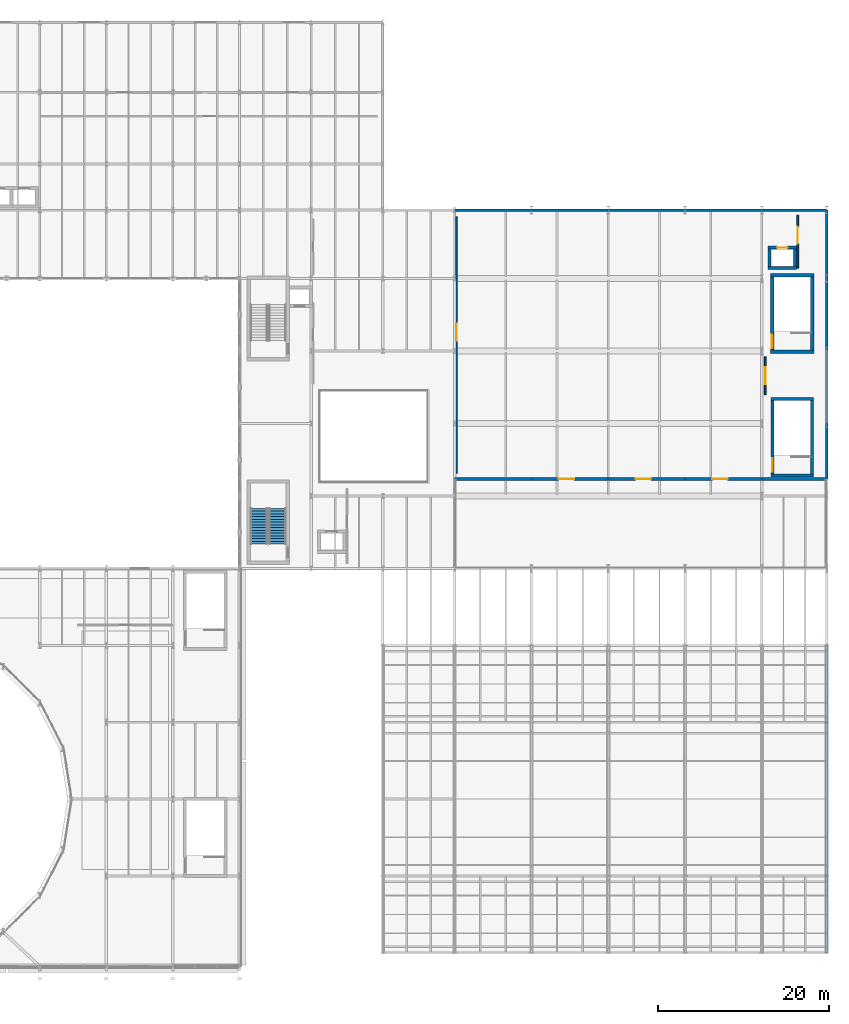
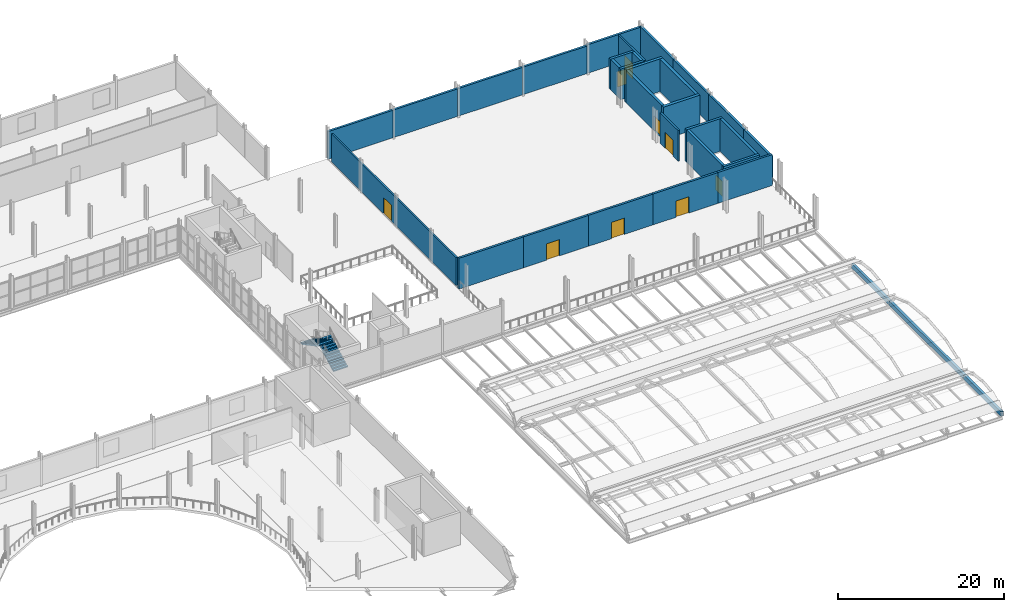
# One storey, part 54 of 63: 32 walls, 9 doors, 2 stair flights, 9 openings, 1 element without a shape of its own.
"""IFC4 building model written with IfcOpenShell, lengths in metres."""

from ifc_helpers import new_model, si_unit, direction, frame, frame_2d, origin, place, context, subcontext, project, spatial, polyline, rectangle, outline, extrude, material, layer, layer_set, type_object, element, fill, aggregate, save


model = new_model("IFC4")

# Units and contexts
model_context = context("Model", 3, precision=1e-05, world=origin(), true_north=direction((0.0, 1.0)))
body_context = subcontext(model_context, "Body", "Model", "MODEL_VIEW")
ifc_project = project(units=[si_unit("LENGTHUNIT", "METRE"), si_unit("AREAUNIT", "SQUARE_METRE"), si_unit("VOLUMEUNIT", "CUBIC_METRE"), si_unit("PLANEANGLEUNIT", "RADIAN"), si_unit("MASSUNIT", "GRAM", prefix="KILO")], contexts=[model_context])

# Site, building, storey
site_placement = place(None, origin())
site = spatial("IfcSite", under=ifc_project, at=site_placement, CompositionType="ELEMENT")
building_placement = place(site_placement, origin())
building = spatial("IfcBuilding", under=site, at=building_placement, Name="Sefraquen Railside Congress Hotel", CompositionType="ELEMENT")
storey_placement = place(building_placement, frame((0.0, 0.0, 11.39990234375)))
storey = spatial("IfcBuildingStorey", under=building, at=storey_placement, Name="L02", CompositionType="ELEMENT", Elevation=11.39990234375)

# Wall, opening, door
ifc_material_1 = material(Name="Acoustic double stud and gypsum board", Category="gypsum")
ifc_layer_1 = layer(ifc_material_1, 0.219970703125)
ifc_layer_set_1 = layer_set([ifc_layer_1], Name="Acoustic double stud and gypsum board")
wall_type_1 = type_object("IfcWallType", Name="TW-AW-220", PredefinedType="PARTITIONING", material=ifc_layer_set_1)
wall_1_placement = place(storey_placement, frame((128.60009765625, 65.199951171875, 0.0), z_axis=(0.0, 0.0, 1.0), x_axis=(0.0, 1.0, 0.0)))
wall_1 = element("IfcWall", 1, at=wall_1_placement, inside=storey, type_object=wall_type_1, Name="Diplomatic Banquet Salon enclosure wall", PredefinedType="PARTITIONING", context=body_context, shape_type="SweptSolid", body=[
    extrude(rectangle(XDim=30.0, YDim=0.219970703125, at=frame_2d((15.0, 0.0))), origin(), (0.0, 0.0, 1.0), 4.110107421875),
])
opening_1_placement = place(wall_1_placement, frame((15.5, 0.0, 0.0)))
opening_1 = element("IfcOpeningElement", 2, at=opening_1_placement, cuts=wall_1, Name="Opening AD-02", PredefinedType="OPENING", context=body_context, shape_type="SweptSolid", body=[
    extrude(rectangle(XDim=2.0, YDim=2.35009765625, at=frame_2d((1.0, 1.175048828125))), frame((0.0, 0.119873046875, 0.0), z_axis=(0.0, -1.0, 0.0), x_axis=(1.0, 0.0, 0.0)), (0.0, 0.0, 1.0), 0.239990234375),
])
ifc_material_2 = material(Name="Acoustic Atlas cedar timber", Category="wood")
door_type_1 = type_object("IfcDoorType", Name="TD-AD-02", OperationType="NOTDEFINED", PredefinedType="DOOR", material=ifc_material_2)
door_1_placement = place(opening_1_placement, origin())
door_1 = element("IfcDoor", 3, at=door_1_placement, inside=storey, type_object=door_type_1, Name="Diplomatic Banquet Salon entrance door", OperationType="DOUBLE_SWING_LEFT", OverallHeight=2.35009765625, OverallWidth=2.0, PredefinedType="DOOR", context=body_context, shape_type="SweptSolid", body=[
    extrude(rectangle(XDim=2.0, YDim=2.35009765625, at=frame_2d((1.0, 1.175048828125))), frame((0.0, 0.02490234375, 0.0), z_axis=(0.0, -1.0, 0.0), x_axis=(1.0, 0.0, 0.0)), (0.0, 0.0, 1.0), 0.050048828125),
])
fill(opening_1, door_1)

wall_2_placement = place(storey_placement, frame((164.800048828125, 74.39990234375, 0.0), z_axis=(0.0, 0.0, 1.0), x_axis=(0.0, 1.0, 0.0)))
wall_2 = element("IfcWall", 4, at=wall_2_placement, inside=storey, type_object=wall_type_1, Name="Banquet Salon Service Pantry enclosure wall", PredefinedType="PARTITIONING", context=body_context, shape_type="SweptSolid", body=[
    extrude(rectangle(XDim=4.400146484375, YDim=0.219970703125, at=frame_2d((2.2001953125, 0.0))), origin(), (0.0, 0.0, 1.0), 4.52001953125),
])
opening_2_placement = place(wall_2_placement, frame((1.199951171875, 0.0, 0.0)))
opening_2 = element("IfcOpeningElement", 5, at=opening_2_placement, cuts=wall_2, Name="Opening AD-02", PredefinedType="OPENING", context=body_context, shape_type="SweptSolid", body=[
    extrude(rectangle(XDim=2.0, YDim=2.35009765625, at=frame_2d((1.0, 1.175048828125))), frame((0.0, 0.119873046875, 0.0), z_axis=(0.0, -1.0, 0.0), x_axis=(1.0, 0.0, 0.0)), (0.0, 0.0, 1.0), 0.239990234375),
])
door_2_placement = place(opening_2_placement, origin())
door_2 = element("IfcDoor", 6, at=door_2_placement, inside=storey, type_object=door_type_1, Name="Banquet Salon Service Pantry entrance door", OperationType="DOUBLE_SWING_LEFT", OverallHeight=2.35009765625, OverallWidth=2.0, PredefinedType="DOOR", context=body_context, shape_type="SweptSolid", body=[
    extrude(rectangle(XDim=2.0, YDim=2.35009765625, at=frame_2d((1.0, 1.175048828125))), frame((0.0, 0.02490234375, 0.0), z_axis=(0.0, -1.0, 0.0), x_axis=(1.0, 0.0, 0.0)), (0.0, 0.0, 1.0), 0.050048828125),
])
fill(opening_2, door_2)

wall_3_placement = place(storey_placement, frame((168.60009765625, 89.199951171875, 0.0), z_axis=(0.0, 0.0, 1.0), x_axis=(0.0, 1.0, 0.0)))
wall_3 = element("IfcWall", 7, at=wall_3_placement, inside=storey, type_object=wall_type_1, Name="Banquet Salon Accessible WC enclosure wall", PredefinedType="PARTITIONING", context=body_context, shape_type="SweptSolid", body=[
    extrude(rectangle(XDim=6.199951171875, YDim=0.219970703125, at=frame_2d((3.10009765625, 0.0))), origin(), (0.0, 0.0, 1.0), 4.52001953125),
])
opening_3_placement = place(wall_3_placement, frame((2.85009765625, 0.0, 0.0)))
opening_3 = element("IfcOpeningElement", 8, at=opening_3_placement, cuts=wall_3, Name="Opening AD-02", PredefinedType="OPENING", context=body_context, shape_type="SweptSolid", body=[
    extrude(rectangle(XDim=2.0, YDim=2.35009765625, at=frame_2d((1.0, 1.175048828125))), frame((0.0, 0.119873046875, 0.0), z_axis=(0.0, -1.0, 0.0), x_axis=(1.0, 0.0, 0.0)), (0.0, 0.0, 1.0), 0.239990234375),
])
door_3_placement = place(opening_3_placement, origin())
door_3 = element("IfcDoor", 9, at=door_3_placement, inside=storey, type_object=door_type_1, Name="Banquet Salon Accessible WC entrance door", OperationType="DOUBLE_SWING_LEFT", OverallHeight=2.35009765625, OverallWidth=2.0, PredefinedType="DOOR", context=body_context, shape_type="SweptSolid", body=[
    extrude(rectangle(XDim=2.0, YDim=2.35009765625, at=frame_2d((1.0, 1.175048828125))), frame((0.0, 0.02490234375, 0.0), z_axis=(0.0, -1.0, 0.0), x_axis=(1.0, 0.0, 0.0)), (0.0, 0.0, 1.0), 0.050048828125),
])
fill(opening_3, door_3)

# Walls
ifc_material_3 = material(Name="Concrete C50/60", Category="concrete")
ifc_layer_2 = layer(ifc_material_3, 0.35009765625)
ifc_layer_set_2 = layer_set([ifc_layer_2], Name="Concrete C50/60")
wall_type_2 = type_object("IfcWallType", Name="TW-CW-350", PredefinedType="SHEAR", material=ifc_layer_set_2)
for number, where, z_axis, x_axis, name in (
    (10, (165.449951171875, 73.85498046875, 0.0), (0.0, 0.0, 1.0), (1.0, 0.0, 0.0), "Core shear wall ST-B02 N L02"),
    (11, (165.449951171875, 64.925048828125, 0.0), (0.0, 0.0, 1.0), (1.0, 0.0, 0.0), "Core shear wall ST-B02 S L02"),
):
    element("IfcWall", number, at=place(storey_placement, frame(where, z_axis=z_axis, x_axis=x_axis)), inside=storey, type_object=wall_type_2, Name=name, PredefinedType="SHEAR", context=body_context, shape_type="SweptSolid", body=[
        extrude(rectangle(XDim=5.0, YDim=0.35009765625, at=frame_2d((2.5, 0.0))), origin(), (0.0, 0.0, 1.0), 4.800048828125),
    ])

# Wall, opening, door
wall_4_placement = place(storey_placement, frame((165.625, 65.10009765625, 0.0), z_axis=(0.0, 0.0, 1.0), x_axis=(0.0, 1.0, 0.0)))
wall_4 = element("IfcWall", 12, at=wall_4_placement, inside=storey, type_object=wall_type_2, Name="Core shear wall ST-B02 W L02", PredefinedType="SHEAR", context=body_context, shape_type="SweptSolid", body=[
    extrude(rectangle(XDim=8.579833984375, YDim=0.35009765625, at=frame_2d((4.2900390625, 0.0))), origin(), (0.0, 0.0, 1.0), 4.800048828125),
])
opening_4_placement = place(wall_4_placement, frame((0.22509765625, 0.0, 0.0)))
opening_4 = element("IfcOpeningElement", 13, at=opening_4_placement, cuts=wall_4, Name="Opening FD-02", PredefinedType="OPENING", context=body_context, shape_type="SweptSolid", body=[
    extrude(rectangle(XDim=1.60009765625, YDim=2.199951171875, at=frame_2d((0.800048828125, 1.10009765625))), frame((0.0, 0.18505859375, 0.0), z_axis=(0.0, -1.0, 0.0), x_axis=(1.0, 0.0, 0.0)), (0.0, 0.0, 1.0), 0.3701171875),
])
ifc_material_4 = material(Name="Fire-rated steel", Category="steel")
door_type_2 = type_object("IfcDoorType", Name="TD-FD-02", OperationType="NOTDEFINED", PredefinedType="DOOR", material=ifc_material_4)
door_4_placement = place(opening_4_placement, origin())
door_4 = element("IfcDoor", 14, at=door_4_placement, inside=storey, type_object=door_type_2, Name="Pressurized stair ST-B02 fire door L02", OperationType="SINGLE_SWING_RIGHT", OverallHeight=2.199951171875, OverallWidth=1.60009765625, PredefinedType="DOOR", context=body_context, shape_type="SweptSolid", body=[
    extrude(rectangle(XDim=1.60009765625, YDim=2.199951171875, at=frame_2d((0.800048828125, 1.10009765625))), frame((0.0, 0.02490234375, 0.0), z_axis=(0.0, -1.0, 0.0), x_axis=(1.0, 0.0, 0.0)), (0.0, 0.0, 1.0), 0.050048828125),
])
fill(opening_4, door_4)

# Walls
wall_5_placement = place(storey_placement, frame((170.27490234375, 65.10009765625, 0.0), z_axis=(0.0, 0.0, 1.0), x_axis=(0.0, 1.0, 0.0)))
element("IfcWall", 15, at=wall_5_placement, inside=storey, type_object=wall_type_2, Name="Core shear wall ST-B02 E L02", PredefinedType="SHEAR", context=body_context, shape_type="SweptSolid", body=[
    extrude(rectangle(XDim=8.579833984375, YDim=0.35009765625, at=frame_2d((4.2900390625, 0.0))), origin(), (0.0, 0.0, 1.0), 4.800048828125),
])
wall_6_placement = place(storey_placement, frame((172.0, 9.0, -0.349853515625), z_axis=(0.0, 0.0, 1.0), x_axis=(0.0, 1.0, 0.0)))
element("IfcWall", 16, at=wall_6_placement, inside=storey, type_object=wall_type_2, Name="Thermal Spa vault 1 E gable bearing wall", PredefinedType="SHEAR", context=body_context, shape_type="SweptSolid", body=[
    extrude(rectangle(XDim=9.0, YDim=0.35009765625, at=frame_2d((4.5, 0.0))), origin(), (0.0, 0.0, 1.0), 0.669921875),
])
wall_7_placement = place(storey_placement, frame((172.0, 18.0, -0.349853515625), z_axis=(0.0, 0.0, 1.0), x_axis=(0.0, 1.0, 0.0)))
element("IfcWall", 17, at=wall_7_placement, inside=storey, type_object=wall_type_2, Name="Thermal Spa vault 2 E gable bearing wall", PredefinedType="SHEAR", context=body_context, shape_type="SweptSolid", body=[
    extrude(rectangle(XDim=18.0, YDim=0.35009765625, at=frame_2d((9.0, 0.0))), origin(), (0.0, 0.0, 1.0), 0.669921875),
])
wall_8_placement = place(storey_placement, frame((172.0, 36.0, -0.349853515625), z_axis=(0.0, 0.0, 1.0), x_axis=(0.0, 1.0, 0.0)))
element("IfcWall", 18, at=wall_8_placement, inside=storey, type_object=wall_type_2, Name="Thermal Spa vault 3 E gable bearing wall", PredefinedType="SHEAR", context=body_context, shape_type="SweptSolid", body=[
    extrude(rectangle(XDim=9.0, YDim=0.35009765625, at=frame_2d((4.5, 0.0))), origin(), (0.0, 0.0, 1.0), 0.669921875),
])

# Wall, opening, door
wall_9_placement = place(storey_placement, frame((165.1298828125, 91.594970703125, 0.0), z_axis=(0.0, 0.0, 1.0), x_axis=(1.0, 0.0, 0.0)))
wall_9 = element("IfcWall", 19, at=wall_9_placement, inside=storey, type_object=wall_type_2, Name="Lift SL-02 shaft wall N L02", PredefinedType="SHEAR", context=body_context, shape_type="SweptSolid", body=[
    extrude(rectangle(XDim=3.340087890625, YDim=0.35009765625, at=frame_2d((1.669921875, 0.0))), origin(), (0.0, 0.0, 1.0), 4.52001953125),
])
opening_5_placement = place(wall_9_placement, frame((1.044921875, 0.0, 0.0)))
opening_5 = element("IfcOpeningElement", 20, at=opening_5_placement, cuts=wall_9, Name="Opening LD-02", PredefinedType="OPENING", context=body_context, shape_type="SweptSolid", body=[
    extrude(rectangle(XDim=1.25, YDim=2.25, at=frame_2d((0.625, 1.125))), frame((0.0, 0.18505859375, 0.0), z_axis=(0.0, -1.0, 0.0), x_axis=(1.0, 0.0, 0.0)), (0.0, 0.0, 1.0), 0.3701171875),
])
ifc_material_5 = material(Name="Brushed stainless steel", Category="steel")
door_type_3 = type_object("IfcDoorType", Name="TD-LD-02", OperationType="NOTDEFINED", PredefinedType="DOOR", material=ifc_material_5)
door_5_placement = place(opening_5_placement, origin())
door_5 = element("IfcDoor", 21, at=door_5_placement, inside=storey, type_object=door_type_3, Name="Lift landing door SL-02 L02", OperationType="SLIDING_TO_LEFT", OverallHeight=2.25, OverallWidth=1.25, PredefinedType="DOOR", context=body_context, shape_type="SweptSolid", body=[
    extrude(rectangle(XDim=1.25, YDim=2.25, at=frame_2d((0.625, 1.125))), frame((0.0, 0.02490234375, 0.0), z_axis=(0.0, -1.0, 0.0), x_axis=(1.0, 0.0, 0.0)), (0.0, 0.0, 1.0), 0.050048828125),
])
fill(opening_5, door_5)

# Walls
wall_10_placement = place(storey_placement, frame((165.1298828125, 89.205078125, 0.0), z_axis=(0.0, 0.0, 1.0), x_axis=(1.0, 0.0, 0.0)))
element("IfcWall", 22, at=wall_10_placement, inside=storey, type_object=wall_type_2, Name="Lift SL-02 shaft wall S L02", PredefinedType="SHEAR", context=body_context, shape_type="SweptSolid", body=[
    extrude(rectangle(XDim=3.340087890625, YDim=0.35009765625, at=frame_2d((1.669921875, 0.0))), origin(), (0.0, 0.0, 1.0), 4.52001953125),
])
for number, where, z_axis, x_axis, name in (
    (23, (165.304931640625, 89.3798828125, 0.0), (0.0, 0.0, 1.0), (0.0, 1.0, 0.0), "Lift SL-02 shaft wall W L02"),
    (24, (168.294921875, 89.3798828125, 0.0), (0.0, 0.0, 1.0), (0.0, 1.0, 0.0), "Lift SL-02 shaft wall E L02"),
):
    element("IfcWall", number, at=place(storey_placement, frame(where, z_axis=z_axis, x_axis=x_axis)), inside=storey, type_object=wall_type_2, Name=name, PredefinedType="SHEAR", context=body_context, shape_type="SweptSolid", body=[
        extrude(rectangle(XDim=2.0400390625, YDim=0.35009765625, at=frame_2d((1.02001953125, 0.0))), origin(), (0.0, 0.0, 1.0), 4.52001953125),
    ])
ifc_layer_3 = layer(ifc_material_3, 0.39990234375)
ifc_layer_set_3 = layer_set([ifc_layer_3], Name="Concrete C50/60")
wall_type_3 = type_object("IfcWallType", Name="TW-CW-400", PredefinedType="SHEAR", material=ifc_layer_set_3)
for number, where, z_axis, x_axis, name in (
    (25, (165.39990234375, 88.3798828125, 0.0), (0.0, 0.0, 1.0), (1.0, 0.0, 0.0), "Core shear wall ST-B01 N L02"),
    (26, (165.39990234375, 79.39990234375, 0.0), (0.0, 0.0, 1.0), (1.0, 0.0, 0.0), "Core shear wall ST-B01 S L02"),
):
    element("IfcWall", number, at=place(storey_placement, frame(where, z_axis=z_axis, x_axis=x_axis)), inside=storey, type_object=wall_type_3, Name=name, PredefinedType="SHEAR", context=body_context, shape_type="SweptSolid", body=[
        extrude(rectangle(XDim=5.10009765625, YDim=0.39990234375, at=frame_2d((2.550048828125, 0.0))), origin(), (0.0, 0.0, 1.0), 4.800048828125),
    ])

# Wall, opening, door
wall_11_placement = place(storey_placement, frame((165.60009765625, 79.60009765625, 0.0), z_axis=(0.0, 0.0, 1.0), x_axis=(0.0, 1.0, 0.0)))
wall_11 = element("IfcWall", 27, at=wall_11_placement, inside=storey, type_object=wall_type_3, Name="Core shear wall ST-B01 W L02", PredefinedType="SHEAR", context=body_context, shape_type="SweptSolid", body=[
    extrude(rectangle(XDim=8.579833984375, YDim=0.39990234375, at=frame_2d((4.2900390625, 0.0))), origin(), (0.0, 0.0, 1.0), 4.800048828125),
])
opening_6_placement = place(wall_11_placement, frame((0.22509765625, 0.0, 0.0)))
opening_6 = element("IfcOpeningElement", 28, at=opening_6_placement, cuts=wall_11, Name="Opening FD-02", PredefinedType="OPENING", context=body_context, shape_type="SweptSolid", body=[
    extrude(rectangle(XDim=1.60009765625, YDim=2.199951171875, at=frame_2d((0.800048828125, 1.10009765625))), frame((0.0, 0.2099609375, 0.0), z_axis=(0.0, -1.0, 0.0), x_axis=(1.0, 0.0, 0.0)), (0.0, 0.0, 1.0), 0.419921875),
])
door_6_placement = place(opening_6_placement, origin())
door_6 = element("IfcDoor", 29, at=door_6_placement, inside=storey, type_object=door_type_2, Name="Pressurized stair ST-B01 fire door L02", OperationType="SINGLE_SWING_RIGHT", OverallHeight=2.199951171875, OverallWidth=1.60009765625, PredefinedType="DOOR", context=body_context, shape_type="SweptSolid", body=[
    extrude(rectangle(XDim=1.60009765625, YDim=2.199951171875, at=frame_2d((0.800048828125, 1.10009765625))), frame((0.0, 0.02490234375, 0.0), z_axis=(0.0, -1.0, 0.0), x_axis=(1.0, 0.0, 0.0)), (0.0, 0.0, 1.0), 0.050048828125),
])
fill(opening_6, door_6)

# Walls
wall_12_placement = place(storey_placement, frame((170.300048828125, 79.60009765625, 0.0), z_axis=(0.0, 0.0, 1.0), x_axis=(0.0, 1.0, 0.0)))
element("IfcWall", 30, at=wall_12_placement, inside=storey, type_object=wall_type_3, Name="Core shear wall ST-B01 E L02", PredefinedType="SHEAR", context=body_context, shape_type="SweptSolid", body=[
    extrude(rectangle(XDim=8.579833984375, YDim=0.39990234375, at=frame_2d((4.2900390625, 0.0))), origin(), (0.0, 0.0, 1.0), 4.800048828125),
])
ifc_material_6 = material(Name="Ochre Rabat calcarenite limestone and Concrete C40/50 backing", Category="masonry")
ifc_layer_4 = layer(ifc_material_6, 0.300048828125)
ifc_layer_set_4 = layer_set([ifc_layer_4], Name="Ochre Rabat calcarenite limestone and Concrete C40/50 backing")
wall_type_4 = type_object("IfcWallType", Name="TW-EW-300", PredefinedType="STANDARD", material=ifc_layer_set_4)
wall_13_placement = place(storey_placement, frame((128.39990234375, 64.5, 0.0), z_axis=(0.0, 0.0, 1.0), x_axis=(1.0, 0.0, 0.0)))
element("IfcWall", 31, at=wall_13_placement, inside=storey, type_object=wall_type_4, Name="Grand Ballroom L02 S facade wall 1", PredefinedType="STANDARD", context=body_context, shape_type="SweptSolid", body=[
    extrude(rectangle(XDim=9.0, YDim=0.300048828125, at=frame_2d((4.5, 0.0))), origin(), (0.0, 0.0, 1.0), 4.5400390625),
])
wall_14_placement = place(storey_placement, frame((128.39990234375, 96.0, 0.0), z_axis=(0.0, 0.0, 1.0), x_axis=(1.0, 0.0, 0.0)))
element("IfcWall", 32, at=wall_14_placement, inside=storey, type_object=wall_type_4, Name="Grand Ballroom L02 N facade wall 1", PredefinedType="STANDARD", context=body_context, shape_type="SweptSolid", body=[
    extrude(rectangle(XDim=9.0, YDim=0.300048828125, at=frame_2d((4.5, 0.0))), origin(), (0.0, 0.0, 1.0), 4.050048828125),
])

# Wall, opening, door
wall_15_placement = place(storey_placement, frame((137.39990234375, 64.5, 0.0), z_axis=(0.0, 0.0, 1.0), x_axis=(1.0, 0.0, 0.0)))
wall_15 = element("IfcWall", 33, at=wall_15_placement, inside=storey, type_object=wall_type_4, Name="Banquet Salon L02 roof-garden wall 2", PredefinedType="STANDARD", context=body_context, shape_type="SweptSolid", body=[
    extrude(rectangle(XDim=9.0, YDim=0.300048828125, at=frame_2d((4.5, 0.0))), origin(), (0.0, 0.0, 1.0), 4.5400390625),
])
opening_7_placement = place(wall_15_placement, frame((3.199951171875, 0.0, 0.0)))
opening_7 = element("IfcOpeningElement", 34, at=opening_7_placement, cuts=wall_15, Name="Opening ED-07", PredefinedType="OPENING", context=body_context, shape_type="SweptSolid", body=[
    extrude(rectangle(XDim=1.800048828125, YDim=2.39990234375, at=frame_2d((0.89990234375, 1.199951171875))), frame((0.0, 0.159912109375, 0.0), z_axis=(0.0, -1.0, 0.0), x_axis=(1.0, 0.0, 0.0)), (0.0, 0.0, 1.0), 0.320068359375),
])
ifc_material_7 = material(Name="Bronze and low-E fire-rated glass", Category="glass")
door_type_4 = type_object("IfcDoorType", Name="TD-ED-07", OperationType="NOTDEFINED", PredefinedType="DOOR", material=ifc_material_7)
door_7_placement = place(opening_7_placement, frame((1.800048828125, 0.0, 0.0), z_axis=(0.0, 0.0, 1.0), x_axis=(-1.0, 0.0, 0.0)))
door_7 = element("IfcDoor", 35, at=door_7_placement, inside=storey, type_object=door_type_4, Name="Planted roof garden walk-out door 2", OperationType="DOUBLE_SWING_LEFT", OverallHeight=2.39990234375, OverallWidth=1.800048828125, PredefinedType="DOOR", context=body_context, shape_type="SweptSolid", body=[
    extrude(rectangle(XDim=1.800048828125, YDim=2.39990234375, at=frame_2d((0.89990234375, 1.199951171875))), frame((0.0, 0.02490234375, 0.0), z_axis=(0.0, -1.0, 0.0), x_axis=(1.0, 0.0, 0.0)), (0.0, 0.0, 1.0), 0.050048828125),
])
fill(opening_7, door_7)

# Wall
wall_16_placement = place(storey_placement, frame((137.39990234375, 96.0, 0.0), z_axis=(0.0, 0.0, 1.0), x_axis=(1.0, 0.0, 0.0)))
element("IfcWall", 36, at=wall_16_placement, inside=storey, type_object=wall_type_4, Name="Grand Ballroom L02 N facade wall 2", PredefinedType="STANDARD", context=body_context, shape_type="SweptSolid", body=[
    extrude(rectangle(XDim=9.0, YDim=0.300048828125, at=frame_2d((4.5, 0.0))), origin(), (0.0, 0.0, 1.0), 4.050048828125),
])

# Wall, opening, door
wall_17_placement = place(storey_placement, frame((146.39990234375, 64.5, 0.0), z_axis=(0.0, 0.0, 1.0), x_axis=(1.0, 0.0, 0.0)))
wall_17 = element("IfcWall", 37, at=wall_17_placement, inside=storey, type_object=wall_type_4, Name="Banquet Salon L02 roof-garden wall 3", PredefinedType="STANDARD", context=body_context, shape_type="SweptSolid", body=[
    extrude(rectangle(XDim=9.0, YDim=0.300048828125, at=frame_2d((4.5, 0.0))), origin(), (0.0, 0.0, 1.0), 4.5400390625),
])
opening_8_placement = place(wall_17_placement, frame((3.199951171875, 0.0, 0.0)))
opening_8 = element("IfcOpeningElement", 38, at=opening_8_placement, cuts=wall_17, Name="Opening ED-07", PredefinedType="OPENING", context=body_context, shape_type="SweptSolid", body=[
    extrude(rectangle(XDim=1.800048828125, YDim=2.39990234375, at=frame_2d((0.89990234375, 1.199951171875))), frame((0.0, 0.159912109375, 0.0), z_axis=(0.0, -1.0, 0.0), x_axis=(1.0, 0.0, 0.0)), (0.0, 0.0, 1.0), 0.320068359375),
])
door_8_placement = place(opening_8_placement, frame((1.800048828125, 0.0, 0.0), z_axis=(0.0, 0.0, 1.0), x_axis=(-1.0, 0.0, 0.0)))
door_8 = element("IfcDoor", 39, at=door_8_placement, inside=storey, type_object=door_type_4, Name="Planted roof garden walk-out door 3", OperationType="DOUBLE_SWING_LEFT", OverallHeight=2.39990234375, OverallWidth=1.800048828125, PredefinedType="DOOR", context=body_context, shape_type="SweptSolid", body=[
    extrude(rectangle(XDim=1.800048828125, YDim=2.39990234375, at=frame_2d((0.89990234375, 1.199951171875))), frame((0.0, 0.02490234375, 0.0), z_axis=(0.0, -1.0, 0.0), x_axis=(1.0, 0.0, 0.0)), (0.0, 0.0, 1.0), 0.050048828125),
])
fill(opening_8, door_8)

# Wall
wall_18_placement = place(storey_placement, frame((146.39990234375, 96.0, 0.0), z_axis=(0.0, 0.0, 1.0), x_axis=(1.0, 0.0, 0.0)))
element("IfcWall", 40, at=wall_18_placement, inside=storey, type_object=wall_type_4, Name="Grand Ballroom L02 N facade wall 3", PredefinedType="STANDARD", context=body_context, shape_type="SweptSolid", body=[
    extrude(rectangle(XDim=9.0, YDim=0.300048828125, at=frame_2d((4.5, 0.0))), origin(), (0.0, 0.0, 1.0), 4.050048828125),
])

# Wall, opening, door
wall_19_placement = place(storey_placement, frame((155.39990234375, 64.5, 0.0), z_axis=(0.0, 0.0, 1.0), x_axis=(1.0, 0.0, 0.0)))
wall_19 = element("IfcWall", 41, at=wall_19_placement, inside=storey, type_object=wall_type_4, Name="Banquet Salon L02 roof-garden wall 4", PredefinedType="STANDARD", context=body_context, shape_type="SweptSolid", body=[
    extrude(rectangle(XDim=9.0, YDim=0.300048828125, at=frame_2d((4.5, 0.0))), origin(), (0.0, 0.0, 1.0), 4.5400390625),
])
opening_9_placement = place(wall_19_placement, frame((3.199951171875, 0.0, 0.0)))
opening_9 = element("IfcOpeningElement", 42, at=opening_9_placement, cuts=wall_19, Name="Opening ED-07", PredefinedType="OPENING", context=body_context, shape_type="SweptSolid", body=[
    extrude(rectangle(XDim=1.800048828125, YDim=2.39990234375, at=frame_2d((0.89990234375, 1.199951171875))), frame((0.0, 0.159912109375, 0.0), z_axis=(0.0, -1.0, 0.0), x_axis=(1.0, 0.0, 0.0)), (0.0, 0.0, 1.0), 0.320068359375),
])
door_9_placement = place(opening_9_placement, frame((1.800048828125, 0.0, 0.0), z_axis=(0.0, 0.0, 1.0), x_axis=(-1.0, 0.0, 0.0)))
door_9 = element("IfcDoor", 43, at=door_9_placement, inside=storey, type_object=door_type_4, Name="Planted roof garden walk-out door 4", OperationType="DOUBLE_SWING_LEFT", OverallHeight=2.39990234375, OverallWidth=1.800048828125, PredefinedType="DOOR", context=body_context, shape_type="SweptSolid", body=[
    extrude(rectangle(XDim=1.800048828125, YDim=2.39990234375, at=frame_2d((0.89990234375, 1.199951171875))), frame((0.0, 0.02490234375, 0.0), z_axis=(0.0, -1.0, 0.0), x_axis=(1.0, 0.0, 0.0)), (0.0, 0.0, 1.0), 0.050048828125),
])
fill(opening_9, door_9)

# Walls
wall_20_placement = place(storey_placement, frame((155.39990234375, 96.0, 0.0), z_axis=(0.0, 0.0, 1.0), x_axis=(1.0, 0.0, 0.0)))
element("IfcWall", 44, at=wall_20_placement, inside=storey, type_object=wall_type_4, Name="Grand Ballroom L02 N facade wall 4", PredefinedType="STANDARD", context=body_context, shape_type="SweptSolid", body=[
    extrude(rectangle(XDim=9.0, YDim=0.300048828125, at=frame_2d((4.5, 0.0))), origin(), (0.0, 0.0, 1.0), 4.050048828125),
])
wall_21_placement = place(storey_placement, frame((164.39990234375, 64.5, 0.0), z_axis=(0.0, 0.0, 1.0), x_axis=(1.0, 0.0, 0.0)))
element("IfcWall", 45, at=wall_21_placement, inside=storey, type_object=wall_type_4, Name="Grand Ballroom L02 S facade wall 5", PredefinedType="STANDARD", context=body_context, shape_type="SweptSolid", body=[
    extrude(rectangle(XDim=7.60009765625, YDim=0.300048828125, at=frame_2d((3.800048828125, 0.0))), origin(), (0.0, 0.0, 1.0), 4.5400390625),
])
wall_22_placement = place(storey_placement, frame((164.39990234375, 96.0, 0.0), z_axis=(0.0, 0.0, 1.0), x_axis=(1.0, 0.0, 0.0)))
element("IfcWall", 46, at=wall_22_placement, inside=storey, type_object=wall_type_4, Name="Grand Ballroom L02 N facade wall 5", PredefinedType="STANDARD", context=body_context, shape_type="SweptSolid", body=[
    extrude(rectangle(XDim=7.60009765625, YDim=0.300048828125, at=frame_2d((3.800048828125, 0.0))), origin(), (0.0, 0.0, 1.0), 4.2001953125),
])
wall_23_placement = place(storey_placement, frame((172.0, 64.5, 0.0), z_axis=(0.0, 0.0, 1.0), x_axis=(0.0, 1.0, 0.0)))
element("IfcWall", 47, at=wall_23_placement, inside=storey, type_object=wall_type_4, Name="Grand Ballroom L02 east service facade wall 1", PredefinedType="STANDARD", context=body_context, shape_type="SweptSolid", body=[
    extrude(rectangle(XDim=6.5, YDim=0.300048828125, at=frame_2d((3.25, 0.0))), origin(), (0.0, 0.0, 1.0), 4.25),
])
for number, where, z_axis, x_axis, name in (
    (48, (172.0, 71.0, 0.0), (0.0, 0.0, 1.0), (0.0, 1.0, 0.0), "Grand Ballroom L02 east service facade wall 2"),
    (49, (172.0, 79.5, 0.0), (0.0, 0.0, 1.0), (0.0, 1.0, 0.0), "Grand Ballroom L02 east service facade wall 3"),
):
    element("IfcWall", number, at=place(storey_placement, frame(where, z_axis=z_axis, x_axis=x_axis)), inside=storey, type_object=wall_type_4, Name=name, PredefinedType="STANDARD", context=body_context, shape_type="SweptSolid", body=[
        extrude(rectangle(XDim=8.5, YDim=0.300048828125, at=frame_2d((4.25, 0.0))), origin(), (0.0, 0.0, 1.0), 4.25),
    ])
wall_24_placement = place(storey_placement, frame((172.0, 88.0, 0.0), z_axis=(0.0, 0.0, 1.0), x_axis=(0.0, 1.0, 0.0)))
element("IfcWall", 50, at=wall_24_placement, inside=storey, type_object=wall_type_4, Name="Grand Ballroom L02 east service facade wall 4", PredefinedType="STANDARD", context=body_context, shape_type="SweptSolid", body=[
    extrude(rectangle(XDim=8.0, YDim=0.300048828125, at=frame_2d((4.0, 0.0))), origin(), (0.0, 0.0, 1.0), 4.25),
])

# Stair, stair flights
ifc_material_8 = material(Name="Concrete C40/50", Category="concrete")
stair_type = type_object("IfcStairType", Name="TST-DOG-198-540", PredefinedType="HALF_TURN_STAIR", material=ifc_material_8)
stair_placement = place(storey_placement, origin())
stair = element("IfcStair", 51, at=stair_placement, inside=storey, type_object=stair_type, Name="L02 Pressurized escape stair ST-M02", PredefinedType="HALF_TURN_STAIR")
stair_flight_type = type_object("IfcStairFlightType", Name="TSF-FLT-198-540", PredefinedType="STRAIGHT", material=ifc_material_8)
stair_flight_1_placement = place(storey_placement, frame((107.669921875, 56.8798828125, 0.0), z_axis=(0.0, 0.0, 1.0), x_axis=(0.0, 1.0, 0.0)))
stair_flight_1 = element("IfcStairFlight", 52, at=stair_flight_1_placement, type_object=stair_flight_type, Name="ST-M02 flight 1", NumberOfRisers=14, NumberOfTreads=13, PredefinedType="STRAIGHT", RiserHeight=0.171428571, TreadLength=0.322, context=body_context, shape_type="SweptSolid", body=[
    extrude(outline(polyline([(0.0, 0.0), (0.0, 0.17138671875), (0.322021484375, 0.17138671875), (0.322021484375, 0.3427734375), (0.64404296875, 0.3427734375), (0.64404296875, 0.514404296875), (0.966064453125, 0.514404296875), (0.966064453125, 0.685791015625), (1.2880859375, 0.685791015625), (1.2880859375, 0.857177734375), (1.610107421875, 0.857177734375), (1.610107421875, 1.028564453125), (1.931884765625, 1.028564453125), (1.931884765625, 1.199951171875), (2.25390625, 1.199951171875), (2.25390625, 1.371337890625), (2.575927734375, 1.371337890625), (2.575927734375, 1.54296875), (2.89794921875, 1.54296875), (2.89794921875, 1.71435546875), (3.219970703125, 1.71435546875), (3.219970703125, 1.8857421875), (3.5419921875, 1.8857421875), (3.5419921875, 2.05712890625), (3.864013671875, 2.05712890625), (3.864013671875, 2.228515625), (4.18603515625, 2.228515625), (4.18603515625, 2.39990234375), (4.18603515625, 2.058837890625), (0.319091796875, 0.0), (0.0, 0.0)])), frame((0.0, 0.989990234375, 0.0), z_axis=(0.0, -1.0, 0.0), x_axis=(1.0, 0.0, 0.0)), (0.0, 0.0, 1.0), 1.97998046875),
])
stair_flight_2_placement = place(storey_placement, frame((105.489990234375, 61.06591796875, 2.400146484375), z_axis=(0.0, 0.0, 1.0), x_axis=(0.0, -1.0, 0.0)))
stair_flight_2 = element("IfcStairFlight", 53, at=stair_flight_2_placement, type_object=stair_flight_type, Name="ST-M02 flight 2", NumberOfRisers=14, NumberOfTreads=13, PredefinedType="STRAIGHT", RiserHeight=0.171428571, TreadLength=0.322, context=body_context, shape_type="SweptSolid", body=[
    extrude(outline(polyline([(0.0, 0.0), (0.0, 0.17138671875), (0.322021484375, 0.17138671875), (0.322021484375, 0.3427734375), (0.64404296875, 0.3427734375), (0.64404296875, 0.514404296875), (0.966064453125, 0.514404296875), (0.966064453125, 0.685791015625), (1.2880859375, 0.685791015625), (1.2880859375, 0.857177734375), (1.610107421875, 0.857177734375), (1.610107421875, 1.028564453125), (1.931884765625, 1.028564453125), (1.931884765625, 1.199951171875), (2.25390625, 1.199951171875), (2.25390625, 1.371337890625), (2.575927734375, 1.371337890625), (2.575927734375, 1.54296875), (2.89794921875, 1.54296875), (2.89794921875, 1.71435546875), (3.219970703125, 1.71435546875), (3.219970703125, 1.8857421875), (3.5419921875, 1.8857421875), (3.5419921875, 2.05712890625), (3.864013671875, 2.05712890625), (3.864013671875, 2.228515625), (4.18603515625, 2.228515625), (4.18603515625, 2.39990234375), (4.18603515625, 2.058837890625), (0.319091796875, 0.0), (0.0, 0.0)])), frame((0.0, 0.989990234375, 0.0), z_axis=(0.0, -1.0, 0.0), x_axis=(1.0, 0.0, 0.0)), (0.0, 0.0, 1.0), 1.97998046875),
])
aggregate(stair, [stair_flight_1, stair_flight_2])

save(model, "model.ifc")
